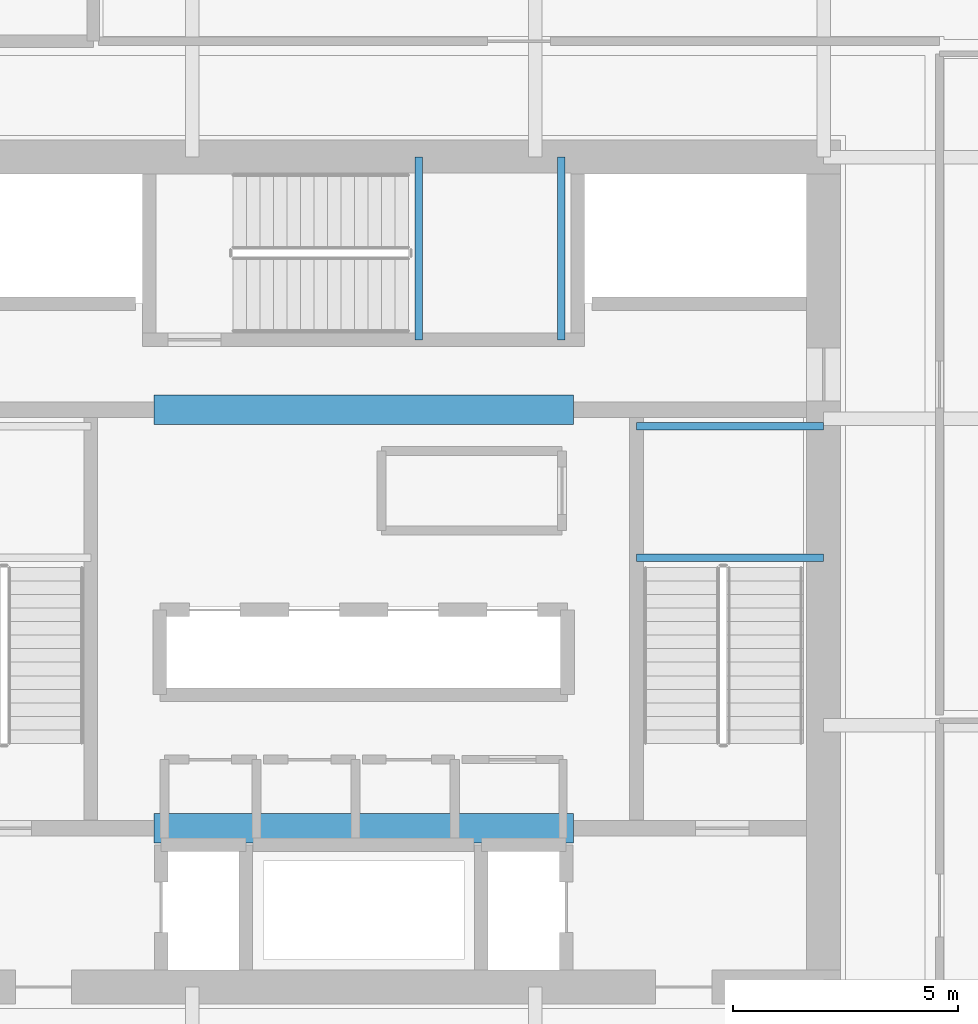
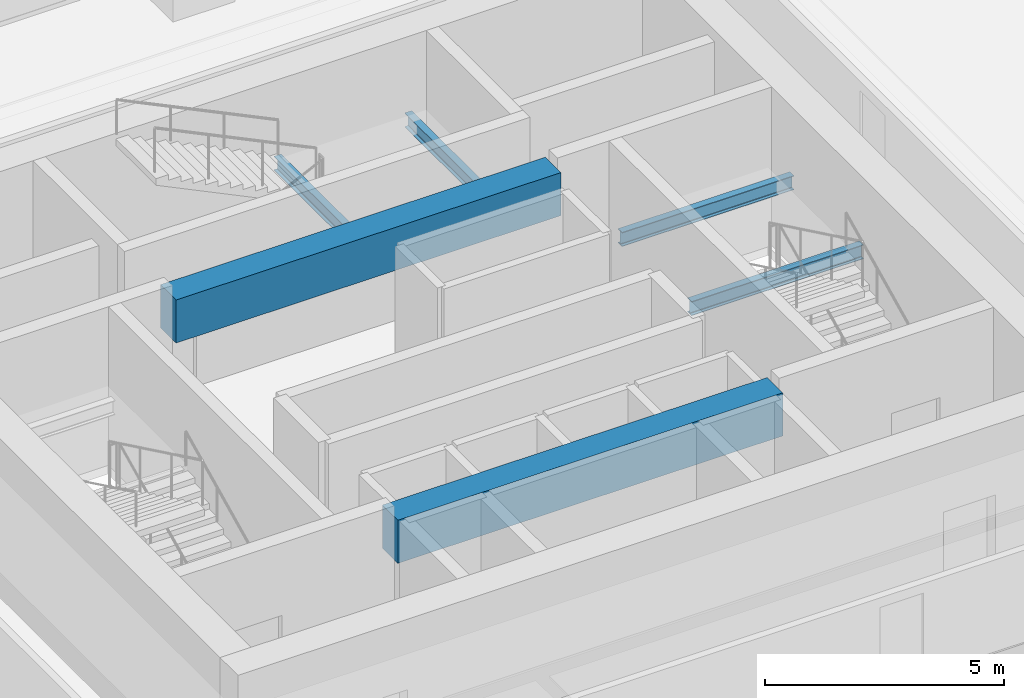
# One storey, part 11 of 42: 6 beams.
"""IFC4 building model written with IfcOpenShell, lengths in metres."""

from ifc_helpers import new_model, si_unit, direction, frame, origin, origin_2d, place, context, subcontext, project, spatial, rectangle, i_section, extrude, material, material_profile, profile_set, type_object, element, save


model = new_model("IFC4")

# Units and contexts
model_context = context("Model", 3, precision=1e-05, world=origin(), true_north=direction((0.0, 1.0)))
body_context = subcontext(model_context, "Body", "Model", "MODEL_VIEW")
ifc_project = project(units=[si_unit("LENGTHUNIT", "METRE"), si_unit("AREAUNIT", "SQUARE_METRE"), si_unit("VOLUMEUNIT", "CUBIC_METRE"), si_unit("PLANEANGLEUNIT", "RADIAN"), si_unit("MASSUNIT", "GRAM", prefix="KILO")], contexts=[model_context])

# Site, building, storey
site_placement = place(None, origin())
site = spatial("IfcSite", under=ifc_project, at=site_placement, CompositionType="ELEMENT")
building_placement = place(site_placement, origin())
building = spatial("IfcBuilding", under=site, at=building_placement, Name="Punatoya Terracotta Tower", CompositionType="ELEMENT")
storey_placement = place(building_placement, frame((0.0, 0.0, 88.949951171875)))
storey = spatial("IfcBuildingStorey", under=building, at=storey_placement, Name="L20", CompositionType="ELEMENT", Elevation=88.949951171875)

# Beams
ifc_material_1 = material(Name="Concrete C60/75", Category="concrete")
ifc_material_profile_1 = material_profile(ifc_material_1, rectangle(XDim=0.64990234375, YDim=1.10009765625, at=origin_2d()))
ifc_profile_set_1 = profile_set([ifc_material_profile_1], Name="Concrete C60/75")
beam_type_1 = type_object("IfcBeamType", Name="BM-RC-1100", PredefinedType="LINTEL", material=ifc_profile_set_1)
for number, where, z_axis, x_axis, name in (
    (1, (-4.64990234375, -5.679931640625, 3.219970703125), (1.0, 0.0, 0.0), (0.0, 1.0, 0.0), "L20 Core Coupling Lintel CSW"),
    (2, (-4.64990234375, 3.60009765625, 3.219970703125), (1.0, 0.0, 0.0), (0.0, 1.0, 0.0), "L20 Core Coupling Lintel CNW"),
):
    element("IfcBeam", number, at=place(storey_placement, frame(where, z_axis=z_axis, x_axis=x_axis)), inside=storey, type_object=beam_type_1, Name=name, PredefinedType="LINTEL", context=body_context, shape_type="SweptSolid", body=[
        extrude(rectangle(XDim=0.64990234375, YDim=1.10009765625, at=origin_2d()), origin(), (0.0, 0.0, 1.0), 9.2998046875),
    ])
ifc_material_2 = material(Name="Steel S355", Category="steel")
ifc_material_profile_2 = material_profile(ifc_material_2, i_section(OverallWidth=0.169921875, OverallDepth=0.360107421875, WebThickness=0.008056640625, FlangeThickness=0.0126953125, FilletRadius=0.01806640625, at=origin_2d()))
ifc_profile_set_2 = profile_set([ifc_material_profile_2], Name="Steel S355")
beam_type_2 = type_object("IfcBeamType", Name="BM-SEC-360", PredefinedType="JOIST", material=ifc_profile_set_2)
for number, where, z_axis, x_axis, name in (
    (3, (6.050048828125, 0.320068359375, 1.64501953125), (1.0, 0.0, 0.0), (0.0, 1.0, 0.0), "BM-L20-ST-2-LD1A"),
    (4, (6.050048828125, 3.22998046875, 1.64501953125), (1.0, 0.0, 0.0), (0.0, 1.0, 0.0), "BM-L20-ST-2-LD1B"),
):
    element("IfcBeam", number, at=place(storey_placement, frame(where, z_axis=z_axis, x_axis=x_axis)), inside=storey, type_object=beam_type_2, Name=name, PredefinedType="JOIST", context=body_context, shape_type="SweptSolid", body=[
        extrude(i_section(OverallWidth=0.169921875, OverallDepth=0.360107421875, WebThickness=0.008056640625, FlangeThickness=0.0126953125, FilletRadius=0.01806640625, at=origin_2d()), origin(), (0.0, 0.0, 1.0), 4.14990234375),
    ])
for number, where, z_axis, x_axis, name in (
    (5, (1.219970703125, 5.14990234375, 1.64501953125), (0.0, 1.0, 0.0), (-1.0, 0.0, 0.0), "BM-L20-ST-3-LD1A"),
    (6, (4.3798828125, 5.14990234375, 1.64501953125), (0.0, 1.0, 0.0), (-1.0, 0.0, 0.0), "BM-L20-ST-3-LD1B"),
):
    element("IfcBeam", number, at=place(storey_placement, frame(where, z_axis=z_axis, x_axis=x_axis)), inside=storey, type_object=beam_type_2, Name=name, PredefinedType="JOIST", context=body_context, shape_type="SweptSolid", body=[
        extrude(i_section(OverallWidth=0.169921875, OverallDepth=0.360107421875, WebThickness=0.008056640625, FlangeThickness=0.0126953125, FilletRadius=0.01806640625, at=origin_2d()), origin(), (0.0, 0.0, 1.0), 4.050048828125),
    ])

save(model, "model.ifc")
